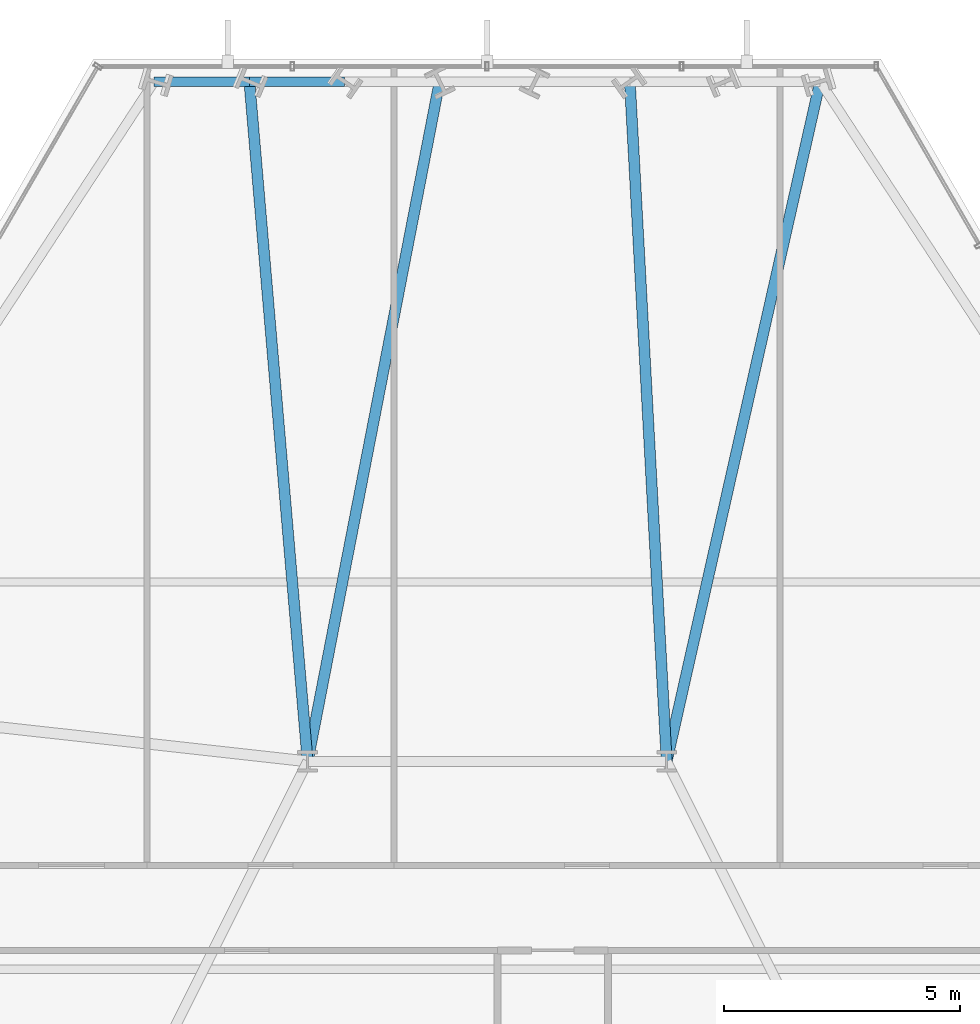
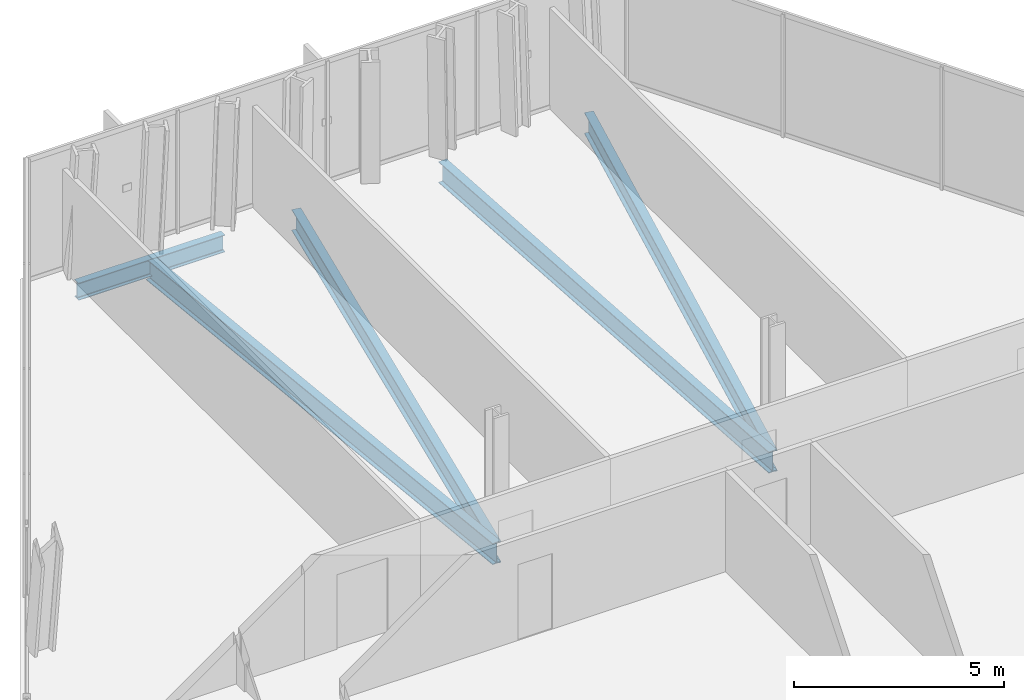
# One storey, part 21 of 33: 6 beams.
"""IFC4 building model written with IfcOpenShell, lengths in metres."""

from ifc_helpers import new_model, si_unit, direction, frame, origin, origin_2d, place, context, subcontext, project, spatial, i_section, extrude, material, material_profile, profile_set, type_object, element, save


model = new_model("IFC4")

# Units and contexts
model_context = context("Model", 3, precision=1e-05, world=origin(), true_north=direction((0.0, 1.0)))
body_context = subcontext(model_context, "Body", "Model", "MODEL_VIEW")
ifc_project = project(units=[si_unit("LENGTHUNIT", "METRE"), si_unit("AREAUNIT", "SQUARE_METRE"), si_unit("VOLUMEUNIT", "CUBIC_METRE"), si_unit("PLANEANGLEUNIT", "RADIAN"), si_unit("MASSUNIT", "GRAM", prefix="KILO")], contexts=[model_context])

# Site, building, storey
site_placement = place(None, origin())
site = spatial("IfcSite", under=ifc_project, at=site_placement, CompositionType="ELEMENT")
building_placement = place(site_placement, origin())
building = spatial("IfcBuilding", under=site, at=building_placement, Name="Ndaravel Arena Tower", CompositionType="ELEMENT")
storey_placement = place(building_placement, frame((0.0, 0.0, 43.60009765625)))
storey = spatial("IfcBuildingStorey", under=building, at=storey_placement, Name="L08", CompositionType="ELEMENT", Elevation=43.60009765625)

# Beams
ifc_material_1 = material(Name="Steel S355", Category="steel")
ifc_material_profile_1 = material_profile(ifc_material_1, i_section(OverallWidth=0.230224609375, OverallDepth=0.6171875, WebThickness=0.01318359375, FlangeThickness=0.022216796875, FilletRadius=0.0126953125, at=origin_2d()), Name="UB 610x229x140")
ifc_profile_set_1 = profile_set([ifc_material_profile_1], Name="Steel S355")
beam_type_1 = type_object("IfcBeamType", Name="BM-GIRD-UB610B", PredefinedType="BEAM", material=ifc_profile_set_1)
beam_1_placement = place(storey_placement, frame((49.04736328125, 45.590087890625, -0.52880859375), z_axis=(-0.220127275775, -0.975471159215, 0.0), x_axis=(0.975471159215, -0.220127275775, 0.0)))
element("IfcBeam", 1, at=beam_1_placement, inside=storey, type_object=beam_type_1, Name="L08 Radial Floor Girder FG-11", PredefinedType="BEAM", context=body_context, shape_type="SweptSolid", body=[
    extrude(i_section(OverallWidth=0.230224609375, OverallDepth=0.6171875, WebThickness=0.01318359375, FlangeThickness=0.022216796875, FilletRadius=0.0126953125, at=origin_2d()), origin(), (0.0, 0.0, 1.0), 14.751953125),
])
beam_2_placement = place(storey_placement, frame((45.020263671875, 45.590087890625, -0.52880859375), z_axis=(0.054109477438, -0.998535009127, 0.0), x_axis=(0.998535009127, 0.054109477438, 0.0)))
element("IfcBeam", 2, at=beam_2_placement, inside=storey, type_object=beam_type_1, Name="L08 Radial Floor Girder FG-13", PredefinedType="BEAM", context=body_context, shape_type="SweptSolid", body=[
    extrude(i_section(OverallWidth=0.230224609375, OverallDepth=0.6171875, WebThickness=0.01318359375, FlangeThickness=0.022216796875, FilletRadius=0.0126953125, at=origin_2d()), origin(), (0.0, 0.0, 1.0), 14.4111328125),
])
beam_3_placement = place(storey_placement, frame((40.9931640625, 45.590087890625, -0.52880859375), z_axis=(-0.190549576234, -0.981677573848, 0.0), x_axis=(0.981677573848, -0.190549576234, 0.0)))
element("IfcBeam", 3, at=beam_3_placement, inside=storey, type_object=beam_type_1, Name="L08 Radial Floor Girder FG-15", PredefinedType="BEAM", context=body_context, shape_type="SweptSolid", body=[
    extrude(i_section(OverallWidth=0.230224609375, OverallDepth=0.6171875, WebThickness=0.01318359375, FlangeThickness=0.022216796875, FilletRadius=0.0126953125, at=origin_2d()), origin(), (0.0, 0.0, 1.0), 14.65869140625),
])
beam_4_placement = place(storey_placement, frame((36.96630859375, 45.590087890625, -0.52880859375), z_axis=(0.085415045216, -0.996345457184, 0.0), x_axis=(0.996345457184, 0.085415045216, 0.0)))
element("IfcBeam", 4, at=beam_4_placement, inside=storey, type_object=beam_type_1, Name="L08 Radial Floor Girder FG-17", PredefinedType="BEAM", context=body_context, shape_type="SweptSolid", body=[
    extrude(i_section(OverallWidth=0.230224609375, OverallDepth=0.6171875, WebThickness=0.01318359375, FlangeThickness=0.022216796875, FilletRadius=0.0126953125, at=origin_2d()), origin(), (0.0, 0.0, 1.0), 14.44287109375),
])
ifc_material_2 = material(Name="Steel S355", Category="steel")
ifc_material_profile_2 = material_profile(ifc_material_2, i_section(OverallWidth=0.199951171875, OverallDepth=0.5, WebThickness=0.01025390625, FlangeThickness=0.01611328125, FilletRadius=0.02099609375, at=origin_2d()), Name="IPE 500")
ifc_profile_set_2 = profile_set([ifc_material_profile_2], Name="Steel S355")
beam_type_2 = type_object("IfcBeamType", Name="BM-SPAN-IPE500", PredefinedType="SPANDREL", material=ifc_profile_set_2)
beam_5_placement = place(storey_placement, frame((38.979736328125, 45.590087890625, -0.47021484375), z_axis=(-1.0, 0.0, 0.0), x_axis=(0.0, -1.0, 0.0)))
element("IfcBeam", 5, at=beam_5_placement, inside=storey, type_object=beam_type_2, Name="L08 Perimeter Spandrel Beam SP-16", PredefinedType="SPANDREL", context=body_context, shape_type="SweptSolid", body=[
    extrude(i_section(OverallWidth=0.199951171875, OverallDepth=0.5, WebThickness=0.01025390625, FlangeThickness=0.01611328125, FilletRadius=0.02099609375, at=origin_2d()), origin(), (0.0, 0.0, 1.0), 2.013427734375),
])
beam_6_placement = place(storey_placement, frame((36.96630859375, 45.590087890625, -0.47021484375), z_axis=(-1.0, 0.0, 0.0), x_axis=(0.0, -1.0, 0.0)))
element("IfcBeam", 6, at=beam_6_placement, inside=storey, type_object=beam_type_2, Name="L08 Perimeter Spandrel Beam SP-17", PredefinedType="SPANDREL", context=body_context, shape_type="SweptSolid", body=[
    extrude(i_section(OverallWidth=0.199951171875, OverallDepth=0.5, WebThickness=0.01025390625, FlangeThickness=0.01611328125, FilletRadius=0.02099609375, at=origin_2d()), origin(), (0.0, 0.0, 1.0), 2.013671875),
])

save(model, "model.ifc")
